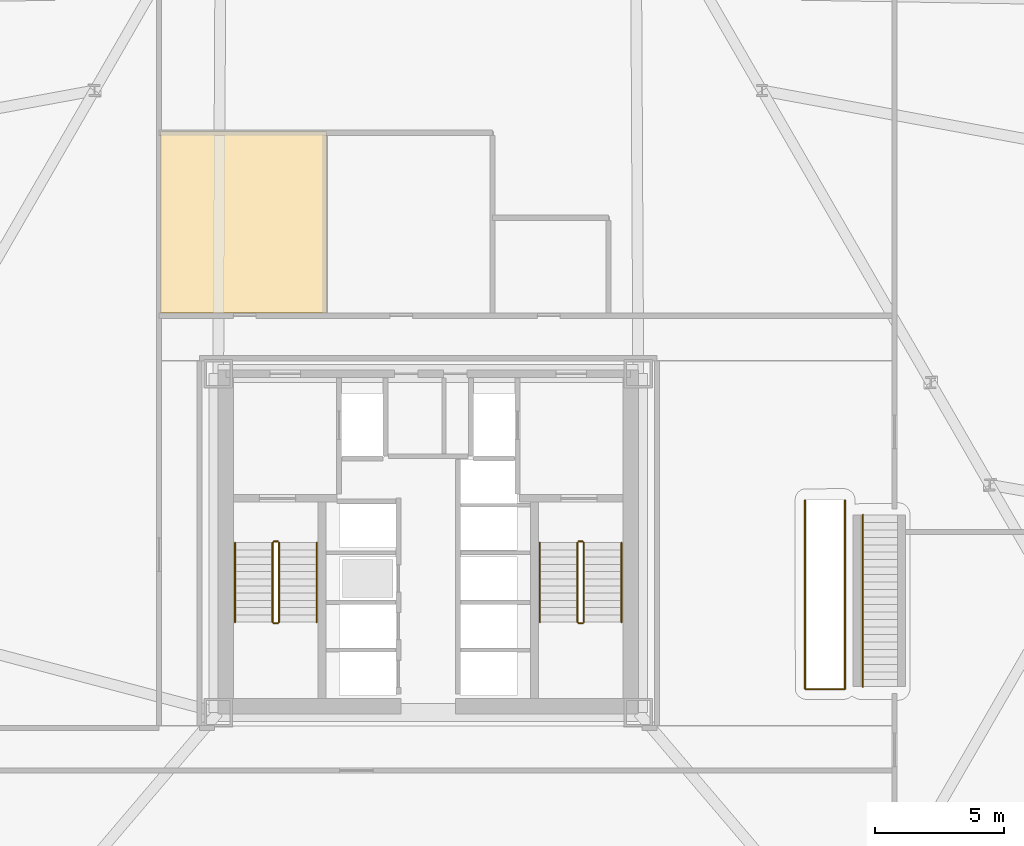
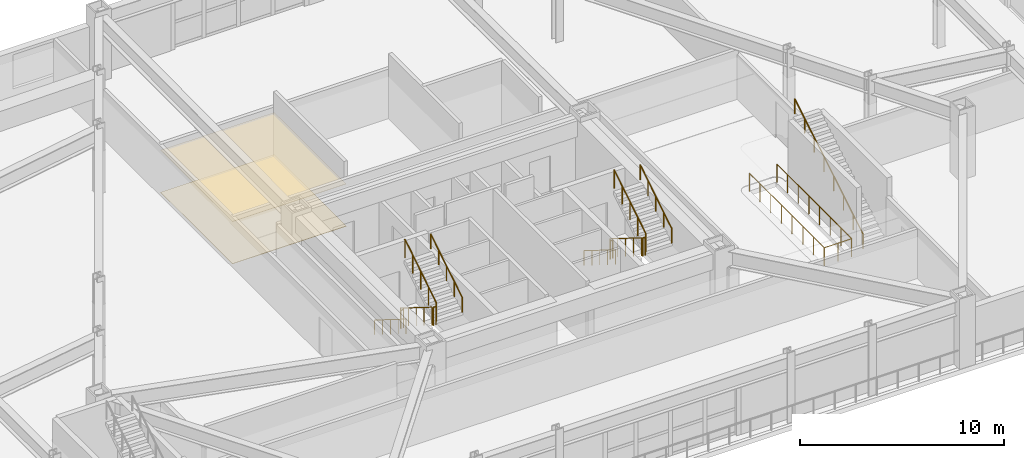
# One storey, part 13 of 16: 16 railings, 2 coverings.
"""IFC4 building model written with IfcOpenShell, lengths in metres."""

from ifc_helpers import new_model, si_unit, direction, frame, origin, origin_2d, place, context, subcontext, project, spatial, polyline, circle, outline, extrude, material, layer, layer_set, type_object, element, save


model = new_model("IFC4")

# Units and contexts
model_context = context("Model", 3, precision=1e-05, world=origin(), true_north=direction((0.0, 1.0)))
body_context = subcontext(model_context, "Body", "Model", "MODEL_VIEW")
ifc_project = project(units=[si_unit("LENGTHUNIT", "METRE"), si_unit("AREAUNIT", "SQUARE_METRE"), si_unit("VOLUMEUNIT", "CUBIC_METRE"), si_unit("PLANEANGLEUNIT", "RADIAN"), si_unit("MASSUNIT", "GRAM", prefix="KILO")], contexts=[model_context])

# Site, building, storey
site_placement = place(None, origin())
site = spatial("IfcSite", under=ifc_project, at=site_placement, CompositionType="ELEMENT")
building_placement = place(site_placement, origin())
building = spatial("IfcBuilding", under=site, at=building_placement, Name="Oramaril Tower", CompositionType="ELEMENT")
storey_placement = place(building_placement, frame((0.0, 0.0, 9.89990234375)))
storey = spatial("IfcBuildingStorey", under=building, at=storey_placement, Name="L02", CompositionType="ELEMENT", Elevation=9.89990234375)

# Coverings
ifc_material_1 = material(Name="Mineral Fibre Acoustic Ceiling")
ifc_layer_1 = layer(ifc_material_1, 0.02001953125)
ifc_layer_set_1 = layer_set([ifc_layer_1], Name="CVT-CEIL")
covering_type_1 = type_object("IfcCoveringType", Name="CVT-CEIL", PredefinedType="CEILING", material=ifc_layer_set_1)
covering_1_placement = place(storey_placement, frame((0.0, 0.0, 2.522216796875)))
element("IfcCovering", 1, at=covering_1_placement, inside=storey, type_object=covering_type_1, Name="L02 Acoustic Suspended Ceiling 9", PredefinedType="CEILING", context=body_context, shape_type="SweptSolid", body=[
    extrude(outline(polyline([(33.5419921875, 33.5419921875), (33.5419921875, 26.5), (27.112060546875, 26.5), (27.112060546875, 33.5419921875), (33.5419921875, 33.5419921875)])), origin(), (0.0, 0.0, 1.0), 0.019775390625),
])
ifc_material_2 = material(Name="Honed Quartzite Stone Flooring", Category="masonry")
ifc_layer_2 = layer(ifc_material_2, 0.02490234375)
ifc_layer_set_2 = layer_set([ifc_layer_2], Name="CVT-FLR")
covering_type_2 = type_object("IfcCoveringType", Name="CVT-FLR", PredefinedType="FLOORING", material=ifc_layer_set_2)
covering_2_placement = place(storey_placement, origin())
element("IfcCovering", 2, at=covering_2_placement, inside=storey, type_object=covering_type_2, Name="L02 Honed Stone Floor Finish 9", PredefinedType="FLOORING", context=body_context, shape_type="SweptSolid", body=[
    extrude(outline(polyline([(33.5419921875, 33.5419921875), (33.5419921875, 26.5), (27.112060546875, 26.5), (27.112060546875, 33.5419921875), (33.5419921875, 33.5419921875)])), origin(), (0.0, 0.0, 1.0), 0.025146484375),
])

# Railings
ifc_material_3 = material(Name="Stainless Steel 316L", Category="steel")
railing_type_1 = type_object("IfcRailingType", Name="RLT-GRD", PredefinedType="GUARDRAIL", material=ifc_material_3)
railing_1_placement = place(storey_placement, frame((31.4599609375, 17.590087890625, 0.175048828125)))
element("IfcRailing", 3, at=railing_1_placement, inside=storey, type_object=railing_type_1, Name="L02 ST-1 stair guard 1", PredefinedType="GUARDRAIL", context=body_context, shape_type="SweptSolid", body=[
    extrude(circle(Radius=0.02392578125, at=origin_2d()), frame((0.0, 0.0, 1.076171875), z_axis=(0.0, -0.847998304005, 0.529998940003), x_axis=(1.0, 0.0, 0.0)), (0.0, 0.0, 1.0), 3.632080078125),
    extrude(circle(Radius=0.02099609375, at=origin_2d()), origin(), (0.0, 0.0, 1.0), 1.052001953125),
    extrude(circle(Radius=0.02099609375, at=origin_2d()), frame((0.0, -0.77001953125, 0.481201171875)), (0.0, 0.0, 1.0), 1.052001953125),
    extrude(circle(Radius=0.02099609375, at=origin_2d()), frame((0.0, -1.5400390625, 0.96240234375)), (0.0, 0.0, 1.0), 1.052001953125),
    extrude(circle(Radius=0.02099609375, at=origin_2d()), frame((0.0, -2.31005859375, 1.44384765625)), (0.0, 0.0, 1.0), 1.052001953125),
    extrude(circle(Radius=0.02099609375, at=origin_2d()), frame((0.0, -3.080078125, 1.925048828125)), (0.0, 0.0, 1.0), 1.052001953125),
])
railing_2_placement = place(storey_placement, frame((31.510009765625, 14.4599609375, 2.10009765625)))
element("IfcRailing", 4, at=railing_2_placement, inside=storey, type_object=railing_type_1, Name="L02 ST-1 stair guard 2", PredefinedType="GUARDRAIL", context=body_context, shape_type="SweptSolid", body=[
    extrude(circle(Radius=0.02392578125, at=origin_2d()), frame((0.0, 0.0, 1.076171875), z_axis=(1.0, 0.0, 0.0), x_axis=(0.0, 1.0, 0.0)), (0.0, 0.0, 1.0), 0.14990234375),
    extrude(circle(Radius=0.02099609375, at=origin_2d()), origin(), (0.0, 0.0, 1.0), 1.052001953125),
    extrude(circle(Radius=0.02099609375, at=origin_2d()), frame((0.14990234375, 0.0, 0.0)), (0.0, 0.0, 1.0), 1.052001953125),
])
railing_3_placement = place(storey_placement, frame((31.7099609375, 14.510009765625, 2.275146484375)))
element("IfcRailing", 5, at=railing_3_placement, inside=storey, type_object=railing_type_1, Name="L02 ST-1 stair guard 3", PredefinedType="GUARDRAIL", context=body_context, shape_type="SweptSolid", body=[
    extrude(circle(Radius=0.02392578125, at=origin_2d()), frame((0.0, 0.0, 1.076171875), z_axis=(0.0, 0.847998304005, 0.529998940003), x_axis=(-1.0, 0.0, 0.0)), (0.0, 0.0, 1.0), 3.632080078125),
    extrude(circle(Radius=0.02099609375, at=origin_2d()), origin(), (0.0, 0.0, 1.0), 1.052001953125),
    extrude(circle(Radius=0.02099609375, at=origin_2d()), frame((0.0, 0.77001953125, 0.481201171875)), (0.0, 0.0, 1.0), 1.052001953125),
    extrude(circle(Radius=0.02099609375, at=origin_2d()), frame((0.0, 1.5400390625, 0.96240234375)), (0.0, 0.0, 1.0), 1.052001953125),
    extrude(circle(Radius=0.02099609375, at=origin_2d()), frame((0.0, 2.31005859375, 1.44384765625)), (0.0, 0.0, 1.0), 1.052001953125),
    extrude(circle(Radius=0.02099609375, at=origin_2d()), frame((0.0, 3.080078125, 1.925048828125)), (0.0, 0.0, 1.0), 1.052001953125),
])
railing_4_placement = place(storey_placement, frame((31.510009765625, 17.639892578125, 0.0)))
element("IfcRailing", 6, at=railing_4_placement, inside=storey, type_object=railing_type_1, Name="L02 ST-1 stair guard 4", PredefinedType="GUARDRAIL", context=body_context, shape_type="SweptSolid", body=[
    extrude(circle(Radius=0.02392578125, at=origin_2d()), frame((0.0, 0.0, 1.076171875), z_axis=(1.0, 0.0, 0.0), x_axis=(0.0, 1.0, 0.0)), (0.0, 0.0, 1.0), 0.14990234375),
    extrude(circle(Radius=0.02099609375, at=origin_2d()), origin(), (0.0, 0.0, 1.0), 1.052001953125),
    extrude(circle(Radius=0.02099609375, at=origin_2d()), frame((0.14990234375, 0.0, 0.0)), (0.0, 0.0, 1.0), 1.052001953125),
])
railing_5_placement = place(storey_placement, frame((43.2900390625, 17.590087890625, 0.175048828125)))
element("IfcRailing", 7, at=railing_5_placement, inside=storey, type_object=railing_type_1, Name="L02 ST-2 stair guard 1", PredefinedType="GUARDRAIL", context=body_context, shape_type="SweptSolid", body=[
    extrude(circle(Radius=0.02392578125, at=origin_2d()), frame((0.0, 0.0, 1.076171875), z_axis=(0.0, -0.847998304005, 0.529998940003), x_axis=(1.0, 0.0, 0.0)), (0.0, 0.0, 1.0), 3.632080078125),
    extrude(circle(Radius=0.02099609375, at=origin_2d()), origin(), (0.0, 0.0, 1.0), 1.052001953125),
    extrude(circle(Radius=0.02099609375, at=origin_2d()), frame((0.0, -0.77001953125, 0.481201171875)), (0.0, 0.0, 1.0), 1.052001953125),
    extrude(circle(Radius=0.02099609375, at=origin_2d()), frame((0.0, -1.5400390625, 0.96240234375)), (0.0, 0.0, 1.0), 1.052001953125),
    extrude(circle(Radius=0.02099609375, at=origin_2d()), frame((0.0, -2.31005859375, 1.44384765625)), (0.0, 0.0, 1.0), 1.052001953125),
    extrude(circle(Radius=0.02099609375, at=origin_2d()), frame((0.0, -3.080078125, 1.925048828125)), (0.0, 0.0, 1.0), 1.052001953125),
])
railing_6_placement = place(storey_placement, frame((43.340087890625, 14.4599609375, 2.10009765625)))
element("IfcRailing", 8, at=railing_6_placement, inside=storey, type_object=railing_type_1, Name="L02 ST-2 stair guard 2", PredefinedType="GUARDRAIL", context=body_context, shape_type="SweptSolid", body=[
    extrude(circle(Radius=0.02392578125, at=origin_2d()), frame((0.0, 0.0, 1.076171875), z_axis=(1.0, 0.0, 0.0), x_axis=(0.0, 1.0, 0.0)), (0.0, 0.0, 1.0), 0.14990234375),
    extrude(circle(Radius=0.02099609375, at=origin_2d()), origin(), (0.0, 0.0, 1.0), 1.052001953125),
    extrude(circle(Radius=0.02099609375, at=origin_2d()), frame((0.14990234375, 0.0, 0.0)), (0.0, 0.0, 1.0), 1.052001953125),
])
railing_7_placement = place(storey_placement, frame((43.5400390625, 14.510009765625, 2.275146484375)))
element("IfcRailing", 9, at=railing_7_placement, inside=storey, type_object=railing_type_1, Name="L02 ST-2 stair guard 3", PredefinedType="GUARDRAIL", context=body_context, shape_type="SweptSolid", body=[
    extrude(circle(Radius=0.02392578125, at=origin_2d()), frame((0.0, 0.0, 1.076171875), z_axis=(0.0, 0.847998304005, 0.529998940003), x_axis=(-1.0, 0.0, 0.0)), (0.0, 0.0, 1.0), 3.632080078125),
    extrude(circle(Radius=0.02099609375, at=origin_2d()), origin(), (0.0, 0.0, 1.0), 1.052001953125),
    extrude(circle(Radius=0.02099609375, at=origin_2d()), frame((0.0, 0.77001953125, 0.481201171875)), (0.0, 0.0, 1.0), 1.052001953125),
    extrude(circle(Radius=0.02099609375, at=origin_2d()), frame((0.0, 1.5400390625, 0.96240234375)), (0.0, 0.0, 1.0), 1.052001953125),
    extrude(circle(Radius=0.02099609375, at=origin_2d()), frame((0.0, 2.31005859375, 1.44384765625)), (0.0, 0.0, 1.0), 1.052001953125),
    extrude(circle(Radius=0.02099609375, at=origin_2d()), frame((0.0, 3.080078125, 1.925048828125)), (0.0, 0.0, 1.0), 1.052001953125),
])
railing_8_placement = place(storey_placement, frame((43.340087890625, 17.639892578125, 0.0)))
element("IfcRailing", 10, at=railing_8_placement, inside=storey, type_object=railing_type_1, Name="L02 ST-2 stair guard 4", PredefinedType="GUARDRAIL", context=body_context, shape_type="SweptSolid", body=[
    extrude(circle(Radius=0.02392578125, at=origin_2d()), frame((0.0, 0.0, 1.076171875), z_axis=(1.0, 0.0, 0.0), x_axis=(0.0, 1.0, 0.0)), (0.0, 0.0, 1.0), 0.14990234375),
    extrude(circle(Radius=0.02099609375, at=origin_2d()), origin(), (0.0, 0.0, 1.0), 1.052001953125),
    extrude(circle(Radius=0.02099609375, at=origin_2d()), frame((0.14990234375, 0.0, 0.0)), (0.0, 0.0, 1.0), 1.052001953125),
])
railing_9_placement = place(storey_placement, frame((52.125, 19.2294921875, 0.0)))
element("IfcRailing", 11, at=railing_9_placement, inside=storey, type_object=railing_type_1, Name="L02 ST-4B Well Guard 1", PredefinedType="GUARDRAIL", context=body_context, shape_type="SweptSolid", body=[
    extrude(circle(Radius=0.02392578125, at=origin_2d()), frame((0.0, 0.0, 1.076171875), z_axis=(0.0, -1.0, 0.0), x_axis=(1.0, 0.0, 0.0)), (0.0, 0.0, 1.0), 7.3095703125),
    extrude(circle(Radius=0.02099609375, at=origin_2d()), origin(), (0.0, 0.0, 1.0), 1.052001953125),
    extrude(circle(Radius=0.02099609375, at=origin_2d()), frame((0.0, -1.044189453125, 0.0)), (0.0, 0.0, 1.0), 1.052001953125),
    extrude(circle(Radius=0.02099609375, at=origin_2d()), frame((0.0, -2.08837890625, 0.0)), (0.0, 0.0, 1.0), 1.052001953125),
    extrude(circle(Radius=0.02099609375, at=origin_2d()), frame((0.0, -3.132568359375, 0.0)), (0.0, 0.0, 1.0), 1.052001953125),
    extrude(circle(Radius=0.02099609375, at=origin_2d()), frame((0.0, -4.177001953125, 0.0)), (0.0, 0.0, 1.0), 1.052001953125),
    extrude(circle(Radius=0.02099609375, at=origin_2d()), frame((0.0, -5.22119140625, 0.0)), (0.0, 0.0, 1.0), 1.052001953125),
    extrude(circle(Radius=0.02099609375, at=origin_2d()), frame((0.0, -6.265380859375, 0.0)), (0.0, 0.0, 1.0), 1.052001953125),
    extrude(circle(Radius=0.02099609375, at=origin_2d()), frame((0.0, -7.3095703125, 0.0)), (0.0, 0.0, 1.0), 1.052001953125),
])
railing_10_placement = place(storey_placement, frame((52.14501953125, 11.89990234375, 0.0)))
element("IfcRailing", 12, at=railing_10_placement, inside=storey, type_object=railing_type_1, Name="L02 ST-4B Well Guard 2", PredefinedType="GUARDRAIL", context=body_context, shape_type="SweptSolid", body=[
    extrude(circle(Radius=0.02392578125, at=origin_2d()), frame((0.0, 0.0, 1.076171875), z_axis=(1.0, 0.0, 0.0), x_axis=(0.0, 1.0, 0.0)), (0.0, 0.0, 1.0), 1.510009765625),
    extrude(circle(Radius=0.02099609375, at=origin_2d()), origin(), (0.0, 0.0, 1.0), 1.052001953125),
    extrude(circle(Radius=0.02099609375, at=origin_2d()), frame((0.7548828125, 0.0, 0.0)), (0.0, 0.0, 1.0), 1.052001953125),
    extrude(circle(Radius=0.02099609375, at=origin_2d()), frame((1.510009765625, 0.0, 0.0)), (0.0, 0.0, 1.0), 1.052001953125),
])
railing_11_placement = place(storey_placement, frame((53.675048828125, 11.919921875, 0.0)))
element("IfcRailing", 13, at=railing_11_placement, inside=storey, type_object=railing_type_1, Name="L02 ST-4B Well Guard 3", PredefinedType="GUARDRAIL", context=body_context, shape_type="SweptSolid", body=[
    extrude(circle(Radius=0.02392578125, at=origin_2d()), frame((0.0, 0.0, 1.076171875), z_axis=(0.0, 1.0, 0.0), x_axis=(-1.0, 0.0, 0.0)), (0.0, 0.0, 1.0), 7.3095703125),
    extrude(circle(Radius=0.02099609375, at=origin_2d()), origin(), (0.0, 0.0, 1.0), 1.052001953125),
    extrude(circle(Radius=0.02099609375, at=origin_2d()), frame((0.0, 1.044189453125, 0.0)), (0.0, 0.0, 1.0), 1.052001953125),
    extrude(circle(Radius=0.02099609375, at=origin_2d()), frame((0.0, 2.08837890625, 0.0)), (0.0, 0.0, 1.0), 1.052001953125),
    extrude(circle(Radius=0.02099609375, at=origin_2d()), frame((0.0, 3.132568359375, 0.0)), (0.0, 0.0, 1.0), 1.052001953125),
    extrude(circle(Radius=0.02099609375, at=origin_2d()), frame((0.0, 4.177001953125, 0.0)), (0.0, 0.0, 1.0), 1.052001953125),
    extrude(circle(Radius=0.02099609375, at=origin_2d()), frame((0.0, 5.22119140625, 0.0)), (0.0, 0.0, 1.0), 1.052001953125),
    extrude(circle(Radius=0.02099609375, at=origin_2d()), frame((0.0, 6.265380859375, 0.0)), (0.0, 0.0, 1.0), 1.052001953125),
    extrude(circle(Radius=0.02099609375, at=origin_2d()), frame((0.0, 7.3095703125, 0.0)), (0.0, 0.0, 1.0), 1.052001953125),
])
ifc_material_4 = material(Name="Stainless Steel 316L", Category="steel")
railing_type_2 = type_object("IfcRailingType", Name="RLT-HND", PredefinedType="HANDRAIL", material=ifc_material_4)
railing_12_placement = place(storey_placement, frame((30.0, 17.590087890625, 0.175048828125)))
element("IfcRailing", 14, at=railing_12_placement, inside=storey, type_object=railing_type_2, Name="L02 ST-1 stair handrail 1", PredefinedType="HANDRAIL", context=body_context, shape_type="SweptSolid", body=[
    extrude(circle(Radius=0.02392578125, at=origin_2d()), frame((0.0, 0.0, 0.8759765625), z_axis=(0.0, -0.847998304005, 0.529998940003), x_axis=(1.0, 0.0, 0.0)), (0.0, 0.0, 1.0), 3.632080078125),
    extrude(circle(Radius=0.02099609375, at=origin_2d()), origin(), (0.0, 0.0, 1.0), 0.851806640625),
    extrude(circle(Radius=0.02099609375, at=origin_2d()), frame((0.0, -0.77001953125, 0.481201171875)), (0.0, 0.0, 1.0), 0.851806640625),
    extrude(circle(Radius=0.02099609375, at=origin_2d()), frame((0.0, -1.5400390625, 0.96240234375)), (0.0, 0.0, 1.0), 0.851806640625),
    extrude(circle(Radius=0.02099609375, at=origin_2d()), frame((0.0, -2.31005859375, 1.44384765625)), (0.0, 0.0, 1.0), 0.851806640625),
    extrude(circle(Radius=0.02099609375, at=origin_2d()), frame((0.0, -3.080078125, 1.925048828125)), (0.0, 0.0, 1.0), 0.851806640625),
])
railing_13_placement = place(storey_placement, frame((33.169921875, 14.510009765625, 2.275146484375)))
element("IfcRailing", 15, at=railing_13_placement, inside=storey, type_object=railing_type_2, Name="L02 ST-1 stair handrail 2", PredefinedType="HANDRAIL", context=body_context, shape_type="SweptSolid", body=[
    extrude(circle(Radius=0.02392578125, at=origin_2d()), frame((0.0, 0.0, 0.8759765625), z_axis=(0.0, 0.847998304005, 0.529998940003), x_axis=(-1.0, 0.0, 0.0)), (0.0, 0.0, 1.0), 3.632080078125),
    extrude(circle(Radius=0.02099609375, at=origin_2d()), origin(), (0.0, 0.0, 1.0), 0.851806640625),
    extrude(circle(Radius=0.02099609375, at=origin_2d()), frame((0.0, 0.77001953125, 0.481201171875)), (0.0, 0.0, 1.0), 0.851806640625),
    extrude(circle(Radius=0.02099609375, at=origin_2d()), frame((0.0, 1.5400390625, 0.96240234375)), (0.0, 0.0, 1.0), 0.851806640625),
    extrude(circle(Radius=0.02099609375, at=origin_2d()), frame((0.0, 2.31005859375, 1.44384765625)), (0.0, 0.0, 1.0), 0.851806640625),
    extrude(circle(Radius=0.02099609375, at=origin_2d()), frame((0.0, 3.080078125, 1.925048828125)), (0.0, 0.0, 1.0), 0.851806640625),
])
railing_14_placement = place(storey_placement, frame((41.830078125, 17.590087890625, 0.175048828125)))
element("IfcRailing", 16, at=railing_14_placement, inside=storey, type_object=railing_type_2, Name="L02 ST-2 stair handrail 1", PredefinedType="HANDRAIL", context=body_context, shape_type="SweptSolid", body=[
    extrude(circle(Radius=0.02392578125, at=origin_2d()), frame((0.0, 0.0, 0.8759765625), z_axis=(0.0, -0.847998304005, 0.529998940003), x_axis=(1.0, 0.0, 0.0)), (0.0, 0.0, 1.0), 3.632080078125),
    extrude(circle(Radius=0.02099609375, at=origin_2d()), origin(), (0.0, 0.0, 1.0), 0.851806640625),
    extrude(circle(Radius=0.02099609375, at=origin_2d()), frame((0.0, -0.77001953125, 0.481201171875)), (0.0, 0.0, 1.0), 0.851806640625),
    extrude(circle(Radius=0.02099609375, at=origin_2d()), frame((0.0, -1.5400390625, 0.96240234375)), (0.0, 0.0, 1.0), 0.851806640625),
    extrude(circle(Radius=0.02099609375, at=origin_2d()), frame((0.0, -2.31005859375, 1.44384765625)), (0.0, 0.0, 1.0), 0.851806640625),
    extrude(circle(Radius=0.02099609375, at=origin_2d()), frame((0.0, -3.080078125, 1.925048828125)), (0.0, 0.0, 1.0), 0.851806640625),
])
railing_15_placement = place(storey_placement, frame((45.0, 14.510009765625, 2.275146484375)))
element("IfcRailing", 17, at=railing_15_placement, inside=storey, type_object=railing_type_2, Name="L02 ST-2 stair handrail 2", PredefinedType="HANDRAIL", context=body_context, shape_type="SweptSolid", body=[
    extrude(circle(Radius=0.02392578125, at=origin_2d()), frame((0.0, 0.0, 0.8759765625), z_axis=(0.0, 0.847998304005, 0.529998940003), x_axis=(-1.0, 0.0, 0.0)), (0.0, 0.0, 1.0), 3.632080078125),
    extrude(circle(Radius=0.02099609375, at=origin_2d()), origin(), (0.0, 0.0, 1.0), 0.851806640625),
    extrude(circle(Radius=0.02099609375, at=origin_2d()), frame((0.0, 0.77001953125, 0.481201171875)), (0.0, 0.0, 1.0), 0.851806640625),
    extrude(circle(Radius=0.02099609375, at=origin_2d()), frame((0.0, 1.5400390625, 0.96240234375)), (0.0, 0.0, 1.0), 0.851806640625),
    extrude(circle(Radius=0.02099609375, at=origin_2d()), frame((0.0, 2.31005859375, 1.44384765625)), (0.0, 0.0, 1.0), 0.851806640625),
    extrude(circle(Radius=0.02099609375, at=origin_2d()), frame((0.0, 3.080078125, 1.925048828125)), (0.0, 0.0, 1.0), 0.851806640625),
])
railing_16_placement = place(storey_placement, frame((54.364990234375, 12.0, 0.175048828125)))
element("IfcRailing", 18, at=railing_16_placement, inside=storey, type_object=railing_type_2, Name="L02 ST-5 Pitch Handrail", PredefinedType="HANDRAIL", context=body_context, shape_type="SweptSolid", body=[
    extrude(circle(Radius=0.02392578125, at=origin_2d()), frame((0.0, 0.0, 0.8759765625), z_axis=(0.0, 0.856176665991, 0.516683187855), x_axis=(-1.0, 0.0, 0.0)), (0.0, 0.0, 1.0), 7.790283203125),
    extrude(circle(Radius=0.02099609375, at=origin_2d()), origin(), (0.0, 0.0, 1.0), 0.851806640625),
    extrude(circle(Radius=0.02099609375, at=origin_2d()), frame((0.0, 0.952880859375, 0.574951171875)), (0.0, 0.0, 1.0), 0.851806640625),
    extrude(circle(Radius=0.02099609375, at=origin_2d()), frame((0.0, 1.90576171875, 1.150146484375)), (0.0, 0.0, 1.0), 0.851806640625),
    extrude(circle(Radius=0.02099609375, at=origin_2d()), frame((0.0, 2.858642578125, 1.72509765625)), (0.0, 0.0, 1.0), 0.851806640625),
    extrude(circle(Radius=0.02099609375, at=origin_2d()), frame((0.0, 3.811279296875, 2.300048828125)), (0.0, 0.0, 1.0), 0.851806640625),
    extrude(circle(Radius=0.02099609375, at=origin_2d()), frame((0.0, 4.76416015625, 2.875)), (0.0, 0.0, 1.0), 0.851806640625),
    extrude(circle(Radius=0.02099609375, at=origin_2d()), frame((0.0, 5.717041015625, 3.4501953125)), (0.0, 0.0, 1.0), 0.851806640625),
    extrude(circle(Radius=0.02099609375, at=origin_2d()), frame((0.0, 6.669921875, 4.025146484375)), (0.0, 0.0, 1.0), 0.851806640625),
])

save(model, "model.ifc")
